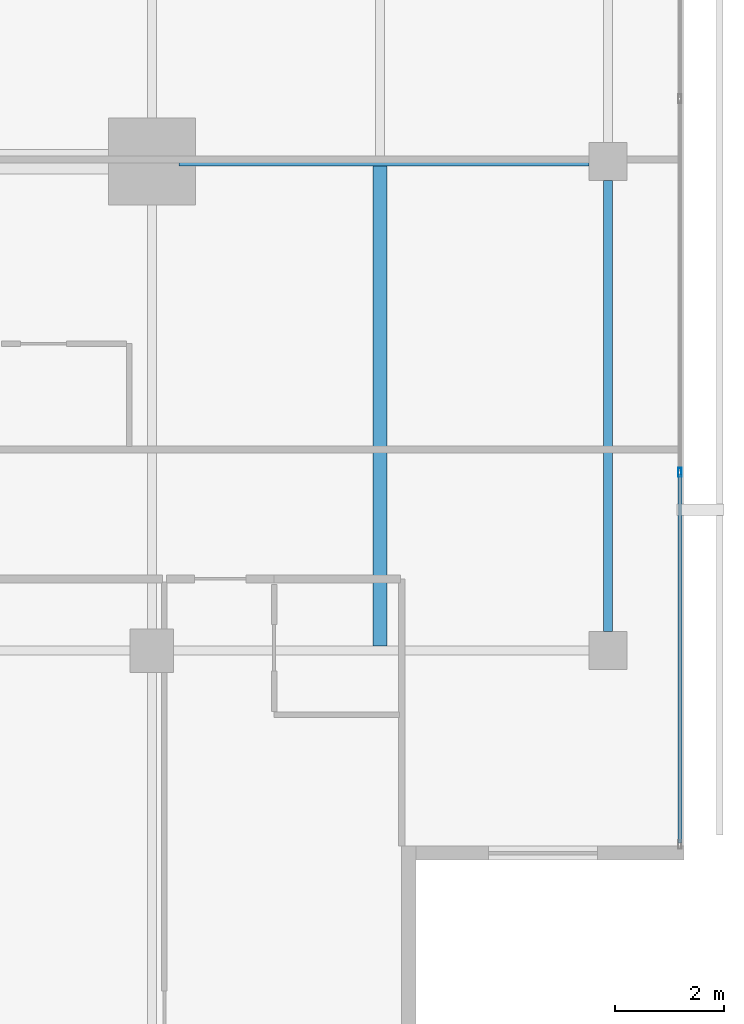
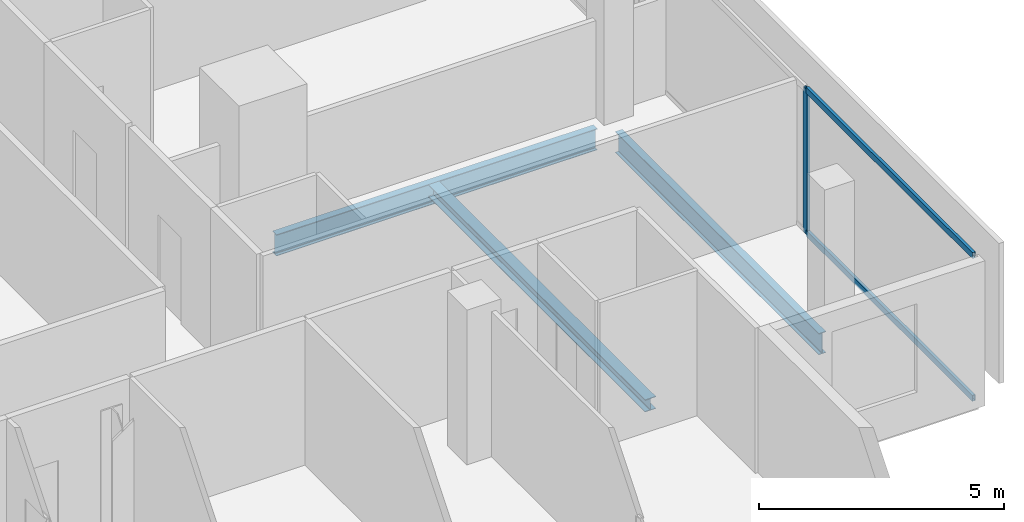
# One storey, part 12 of 25: 3 beams, 3 members, 1 element without a shape of its own.
"""IFC4 building model written with IfcOpenShell, lengths in metres."""

import ifcopenshell
import ifcopenshell.guid

model = None  # the IFC model being written
_history = None  # IfcOwnerHistory: only IFC2X3 demands one
_inside = {}  # id of a spatial element -> (the spatial element, [elements in it])
_under = {}  # id of a project, library or spatial element -> (it, [spatial elements below it])
_declared = {}  # id of a project -> (the project, [libraries it declares])
_typed = {}  # id of a type object -> (the type object, [elements of that type])
_made_of = {}  # id of a material, layer set ... -> (it, [elements and type objects made of it])


def new_model(schema):
    """Start an empty IFC model of exactly this schema.

    Asked for "IFC4X3", IfcOpenShell would pick the latest addendum, in which some entities
    have other attributes; the version numbers below select the first issue.
    IFC2X3 requires an IfcOwnerHistory on every rooted entity: one is made here for all.
    """
    global model, _history
    if schema == "IFC4X3":
        model = ifcopenshell.file(schema_version=(4, 3, 0, 0))
    else:
        model = ifcopenshell.file(schema=schema)
    _inside.clear()
    _under.clear()
    _declared.clear()
    _typed.clear()
    _made_of.clear()
    _history = None
    if model.schema == "IFC2X3":
        org = make("IfcOrganization", Name="unknown")
        user = make(
            "IfcPersonAndOrganization",
            ThePerson=make("IfcPerson", FamilyName="unknown"),
            TheOrganization=org,
        )
        app = make(
            "IfcApplication",
            ApplicationDeveloper=org,
            Version="unknown",
            ApplicationFullName="unknown",
            ApplicationIdentifier="unknown",
        )
        _history = make(
            "IfcOwnerHistory",
            OwningUser=user,
            OwningApplication=app,
            ChangeAction="ADDED",
            CreationDate=0,
        )
    return model


def make(cls, **values):
    """One entity of the class cls with the attributes given. An attribute that is None is left unset."""
    return model.create_entity(
        cls, **{name: value for name, value in values.items() if value is not None}
    )


def rooted(cls, **values):
    """An entity with a GlobalId (a new one), such as an element, a storey or a relation."""
    return make(cls, GlobalId=ifcopenshell.guid.new(), OwnerHistory=_history, **values)


def si_unit(unit_type, name, prefix=None):
    """IfcSIUnit, for example si_unit("LENGTHUNIT", "METRE", prefix="MILLI")."""
    return make("IfcSIUnit", UnitType=unit_type, Prefix=prefix, Name=name)


def assignment(units):
    """IfcUnitAssignment: the units of a project."""
    return None if units is None else make("IfcUnitAssignment", Units=units)


def point(xyz):
    """IfcCartesianPoint."""
    return None if xyz is None else make("IfcCartesianPoint", Coordinates=xyz)


def direction(xyz):
    """IfcDirection."""
    return None if xyz is None else make("IfcDirection", DirectionRatios=xyz)


def frame(location, z_axis=None, x_axis=None):
    """IfcAxis2Placement3D, a coordinate frame: its origin and axes. An axis left out is left unset."""
    return make(
        "IfcAxis2Placement3D",
        Location=point(location),
        Axis=direction(z_axis),
        RefDirection=direction(x_axis),
    )


def frame_2d(location, x_axis=None):
    """IfcAxis2Placement2D, a coordinate frame in the plane: its origin and x axis."""
    return make(
        "IfcAxis2Placement2D", Location=point(location), RefDirection=direction(x_axis)
    )


def origin():
    """The frame at (0, 0, 0) with its axes left unset."""
    return frame((0.0, 0.0, 0.0))


def origin_2d():
    """The frame at (0, 0) in the plane with its x axis left unset."""
    return frame_2d((0.0, 0.0))


def place(relative_to, where):
    """IfcLocalPlacement: puts the frame where relative to a parent placement (None: the world)."""
    return make(
        "IfcLocalPlacement", PlacementRelTo=relative_to, RelativePlacement=where
    )


def context(
    kind, dimensions, precision=None, world=None, true_north=None, identifier=None
):
    """IfcGeometricRepresentationContext, for example the 3D "Model" context."""
    return make(
        "IfcGeometricRepresentationContext",
        ContextIdentifier=identifier,
        ContextType=kind,
        CoordinateSpaceDimension=dimensions,
        Precision=precision,
        WorldCoordinateSystem=world,
        TrueNorth=true_north,
    )


def subcontext(parent, identifier, kind, view, scale=None):
    """IfcGeometricRepresentationSubContext, for example "Body" below "Model"."""
    return make(
        "IfcGeometricRepresentationSubContext",
        ContextIdentifier=identifier,
        ContextType=kind,
        ParentContext=parent,
        TargetScale=scale,
        TargetView=view,
    )


def project(units=None, contexts=None):
    """IfcProject with its units and contexts."""
    return rooted(
        "IfcProject",
        Name="project",
        RepresentationContexts=contexts,
        UnitsInContext=assignment(units),
    )


def spatial(cls, under=None, at=None, **own):
    """A site, building, storey or space (cls), placed at a placement, below another one or the project."""
    s = rooted(cls, ObjectPlacement=at, **own)
    if under is not None:
        _under.setdefault(under.id(), (under, []))[1].append(s)
    return s


def profile(cls, at=None, kind="AREA", **sizes):
    """A parametric profile (cls). Its sizes go by their IFC names, for example OverallWidth=200.0."""
    return make(cls, ProfileType=kind, Position=at, **sizes)


def hollow_rectangle(**sizes):
    """IfcRectangleHollowProfileDef."""
    return profile("IfcRectangleHollowProfileDef", **sizes)


def i_section(**sizes):
    """IfcIShapeProfileDef."""
    return profile("IfcIShapeProfileDef", **sizes)


def extrude(swept, where, along, depth):
    """IfcExtrudedAreaSolid: the profile swept, set in the frame where, extruded along a direction by depth."""
    return make(
        "IfcExtrudedAreaSolid",
        SweptArea=swept,
        Position=where,
        ExtrudedDirection=direction(along),
        Depth=depth,
    )


def shape(context_of_items, identifier, shape_type, items):
    """IfcShapeRepresentation: the items that make up one representation, for example the "Body"."""
    return make(
        "IfcShapeRepresentation",
        ContextOfItems=context_of_items,
        RepresentationIdentifier=identifier,
        RepresentationType=shape_type,
        Items=items,
    )


def material(Name=None, Category=None):
    """IfcMaterial."""
    return make("IfcMaterial", Name=Name, Category=Category)


def layer(
    of_material, thickness, ventilated=None, Name=None, Category=None, Priority=None
):
    """IfcMaterialLayer: one layer of a wall or slab, of a material (None: an air gap)."""
    return make(
        "IfcMaterialLayer",
        Material=of_material,
        LayerThickness=thickness,
        IsVentilated=ventilated,
        Name=Name,
        Category=Category,
        Priority=Priority,
    )


def layer_set(layers, Name=None):
    """IfcMaterialLayerSet."""
    return make("IfcMaterialLayerSet", MaterialLayers=layers, LayerSetName=Name)


def material_profile(
    of_material, cross_section, Name=None, Category=None, Priority=None
):
    """IfcMaterialProfile: a cross section and its material."""
    return make(
        "IfcMaterialProfile",
        Name=Name,
        Material=of_material,
        Profile=cross_section,
        Priority=Priority,
        Category=Category,
    )


def profile_set(profiles, Name=None, composite=None):
    """IfcMaterialProfileSet."""
    return make(
        "IfcMaterialProfileSet",
        Name=Name,
        MaterialProfiles=profiles,
        CompositeProfile=composite,
    )


def made_of(thing, what):
    """Note that an element or type object is made of a material, layer set ...; save() writes the relation."""
    if what is not None:
        _made_of.setdefault(what.id(), (what, []))[1].append(thing)
    return thing


def type_object(cls, material=None, **own):
    """A type object (cls), such as IfcWallType, which elements share."""
    return made_of(rooted(cls, **own), material)


def element(
    cls,
    number,
    at=None,
    inside=None,
    cuts=None,
    type_object=None,
    material=None,
    context=None,
    identifier="Body",
    shape_type=None,
    held_by="IfcProductDefinitionShape",
    body=None,
    shapes=None,
    **own,
):
    """One element of the class cls, such as IfcWall. Its Tag is "e" and its number.

    at: its placement. inside: the storey or other place that contains it. cuts: it is an
    opening in that element (IfcRelVoidsElement). A single representation is given by context,
    identifier, shape_type and body (its items); several are given by shapes. held_by: the class
    of the entity that holds the representations. save() writes the other relations.
    """
    e = rooted(cls, Tag="e%d" % number, ObjectPlacement=at, **own)
    if body is not None:
        shapes = [shape(context, identifier, shape_type, body)]
    if shapes is not None:
        e.Representation = make(held_by, Representations=shapes)
    if inside is not None:
        _inside.setdefault(inside.id(), (inside, []))[1].append(e)
    if cuts is not None:
        rooted(
            "IfcRelVoidsElement", RelatingBuildingElement=cuts, RelatedOpeningElement=e
        )
    if type_object is not None:
        _typed.setdefault(type_object.id(), (type_object, []))[1].append(e)
    return made_of(e, material)


def aggregate(whole, parts):
    """IfcRelAggregates: a whole, such as a stair, and the parts it consists of."""
    return rooted("IfcRelAggregates", RelatingObject=whole, RelatedObjects=parts)


def save(model, path):
    """Write the relations noted so far, then the file.

    IfcRelAggregates (storeys below a building ...), IfcRelContainedInSpatialStructure (elements
    in a storey), IfcRelDefinesByType, IfcRelAssociatesMaterial and IfcRelDeclares: one each for
    every whole, place, type object, material and project.
    """
    for whole, parts in _under.values():
        aggregate(whole, parts)
    for where, things in _inside.values():
        rooted(
            "IfcRelContainedInSpatialStructure",
            RelatedElements=things,
            RelatingStructure=where,
        )
    for kind, things in _typed.values():
        rooted("IfcRelDefinesByType", RelatedObjects=things, RelatingType=kind)
    for what, things in _made_of.values():
        rooted("IfcRelAssociatesMaterial", RelatedObjects=things, RelatingMaterial=what)
    for by, libraries in _declared.values():
        rooted("IfcRelDeclares", RelatingContext=by, RelatedDefinitions=libraries)
    model.write(path)


model = new_model("IFC4")

# Units and contexts
model_context = context("Model", 3, precision=1e-05, world=origin(), true_north=direction((0.0, 1.0)))
body_context = subcontext(model_context, "Body", "Model", "MODEL_VIEW")
ifc_project = project(units=[si_unit("LENGTHUNIT", "METRE"), si_unit("AREAUNIT", "SQUARE_METRE"), si_unit("VOLUMEUNIT", "CUBIC_METRE"), si_unit("PLANEANGLEUNIT", "RADIAN"), si_unit("MASSUNIT", "GRAM", prefix="KILO")], contexts=[model_context])

# Site, building, storey
site_placement = place(None, origin())
site = spatial("IfcSite", under=ifc_project, at=site_placement, CompositionType="ELEMENT")
building_placement = place(site_placement, origin())
building = spatial("IfcBuilding", under=site, at=building_placement, Name="Maruvema Waterfront Hotel and Observation Tower", CompositionType="ELEMENT")
storey_placement = place(building_placement, frame((0.0, 0.0, 308.699951171875)))
storey = spatial("IfcBuildingStorey", under=building, at=storey_placement, Name="L76", CompositionType="ELEMENT", Elevation=308.699951171875)

# Curtain wall, members
ifc_material_1 = material(Name="Anodised bronze aluminium and solar-control low-E IGU", Category="aluminium")
ifc_layer = layer(ifc_material_1, 0.159912109375, Name="Zone 3 Champagne Inner Thermal Curtain Wall System CW-04")
ifc_layer_set = layer_set([ifc_layer], Name="Anodised bronze aluminium and solar-control low-E IGU")
curtain_wall_type = type_object("IfcCurtainWallType", Name="Zone 3 Champagne Inner Thermal Curtain Wall System CW-04", PredefinedType="USERDEFINED", material=ifc_layer_set)
curtain_wall_placement = place(storey_placement, origin())
curtain_wall = element("IfcCurtainWall", 1, at=curtain_wall_placement, inside=storey, type_object=curtain_wall_type, Name="L76 Curtain Wall CW-L76-E", ObjectType="UNITISED CURTAIN WALL", PredefinedType="USERDEFINED")
ifc_material_2 = material(Name="Anodised architectural bronze aluminium", Category="aluminium")
ifc_material_profile_1 = material_profile(ifc_material_2, hollow_rectangle(XDim=0.070068359375, YDim=0.14990234375, WallThickness=0.00390625, at=origin_2d()), Name="ALU-T70x150")
ifc_profile_set_1 = profile_set([ifc_material_profile_1], Name="Anodised architectural bronze aluminium")
member_type_1 = type_object("IfcMemberType", Name="Curtain Wall Horizontal Transom ALU-T70x150", PredefinedType="USERDEFINED", material=ifc_profile_set_1)
member_1_placement = place(storey_placement, frame((60.1201171875, 14.4599609375, 0.030029296875), z_axis=(0.0, 1.0, 0.0), x_axis=(-1.0, 0.0, 0.0)))
member_1 = element("IfcMember", 2, at=member_1_placement, type_object=member_type_1, Name="CW-04 transom 1.1", ObjectType="TRANSOM", PredefinedType="USERDEFINED", context=body_context, shape_type="SweptSolid", body=[
    extrude(hollow_rectangle(XDim=0.070068359375, YDim=0.14990234375, WallThickness=0.00390625, at=origin_2d()), origin(), (0.0, 0.0, 1.0), 6.7900390625),
])
member_2_placement = place(storey_placement, frame((60.1201171875, 14.4599609375, 3.580078125), z_axis=(0.0, 1.0, 0.0), x_axis=(-1.0, 0.0, 0.0)))
member_2 = element("IfcMember", 3, at=member_2_placement, type_object=member_type_1, Name="CW-04 transom 1.2", ObjectType="TRANSOM", PredefinedType="USERDEFINED", context=body_context, shape_type="SweptSolid", body=[
    extrude(hollow_rectangle(XDim=0.070068359375, YDim=0.14990234375, WallThickness=0.00390625, at=origin_2d()), origin(), (0.0, 0.0, 1.0), 6.7900390625),
])
ifc_material_3 = material(Name="Anodised architectural bronze aluminium", Category="aluminium")
ifc_material_profile_2 = material_profile(ifc_material_3, hollow_rectangle(XDim=0.06494140625, YDim=0.1650390625, WallThickness=0.00390625, at=origin_2d()), Name="ALU-M65x165")
ifc_profile_set_2 = profile_set([ifc_material_profile_2], Name="Anodised architectural bronze aluminium")
member_type_2 = type_object("IfcMemberType", Name="Curtain Wall Primary Mullion ALU-M65x165", PredefinedType="MULLION", material=ifc_profile_set_2)
member_3_placement = place(storey_placement, frame((60.1201171875, 21.280029296875, 0.0), z_axis=(0.0, 0.0, 1.0), x_axis=(-1.0, 0.0, 0.0)))
member_3 = element("IfcMember", 4, at=member_3_placement, type_object=member_type_2, Name="CW-04 mullion 2", PredefinedType="MULLION", context=body_context, shape_type="SweptSolid", body=[
    extrude(hollow_rectangle(XDim=0.06494140625, YDim=0.1650390625, WallThickness=0.00390625, at=origin_2d()), origin(), (0.0, 0.0, 1.0), 3.610107421875),
])
aggregate(curtain_wall, [member_3, member_1, member_2])

# Beams
ifc_material_4 = material(Name="Steel ASTM A572 Grade 50", Category="steel")
ifc_material_profile_3 = material_profile(ifc_material_4, i_section(OverallWidth=0.166015625, OverallDepth=0.529052734375, WebThickness=0.009765625, FlangeThickness=0.013671875, FilletRadius=0.014892578125, at=origin_2d()), Name="W530x74.0")
ifc_profile_set_3 = profile_set([ifc_material_profile_3], Name="Steel ASTM A572 Grade 50")
beam_type_1 = type_object("IfcBeamType", Name="Primary Floor Girder W530x74.0", PredefinedType="BEAM", material=ifc_profile_set_3)
beam_1_placement = place(storey_placement, frame((50.89990234375, 27.0, -0.50439453125), z_axis=(1.0, 0.0, 0.0), x_axis=(0.0, 1.0, 0.0)))
element("IfcBeam", 5, at=beam_1_placement, inside=storey, type_object=beam_type_1, Name="L76 Floor Girder EW-11", PredefinedType="BEAM", context=body_context, shape_type="SweptSolid", body=[
    extrude(i_section(OverallWidth=0.166015625, OverallDepth=0.529052734375, WebThickness=0.009765625, FlangeThickness=0.013671875, FilletRadius=0.014892578125, at=origin_2d()), origin(), (0.0, 0.0, 1.0), 7.550048828125),
])
beam_2_placement = place(storey_placement, frame((58.800048828125, 18.35009765625, -0.50439453125), z_axis=(0.0, 1.0, 0.0), x_axis=(-1.0, 0.0, 0.0)))
element("IfcBeam", 6, at=beam_2_placement, inside=storey, type_object=beam_type_1, Name="L76 Floor Girder NS-16", PredefinedType="BEAM", context=body_context, shape_type="SweptSolid", body=[
    extrude(i_section(OverallWidth=0.166015625, OverallDepth=0.529052734375, WebThickness=0.009765625, FlangeThickness=0.013671875, FilletRadius=0.014892578125, at=origin_2d()), origin(), (0.0, 0.0, 1.0), 8.2998046875),
])
ifc_material_5 = material(Name="Steel ASTM A572 Grade 50", Category="steel")
ifc_material_profile_4 = material_profile(ifc_material_5, i_section(OverallWidth=0.25390625, OverallDepth=0.305908203125, WebThickness=0.0087890625, FlangeThickness=0.0146484375, FilletRadius=0.014892578125, at=origin_2d()), Name="W310x79.0")
ifc_profile_set_4 = profile_set([ifc_material_profile_4], Name="Steel ASTM A572 Grade 50")
beam_type_2 = type_object("IfcBeamType", Name="Secondary Floor Joist W310x79.0", PredefinedType="JOIST", material=ifc_profile_set_4)
beam_3_placement = place(storey_placement, frame((54.60009765625, 18.0830078125, -0.39306640625), z_axis=(0.0, 1.0, 0.0), x_axis=(-1.0, 0.0, 0.0)))
element("IfcBeam", 7, at=beam_3_placement, inside=storey, type_object=beam_type_2, Name="L76 Secondary Floor Joist JS-07", PredefinedType="JOIST", context=body_context, shape_type="SweptSolid", body=[
    extrude(i_section(OverallWidth=0.25390625, OverallDepth=0.305908203125, WebThickness=0.0087890625, FlangeThickness=0.0146484375, FilletRadius=0.014892578125, at=origin_2d()), origin(), (0.0, 0.0, 1.0), 8.833984375),
])

save(model, "model.ifc")
